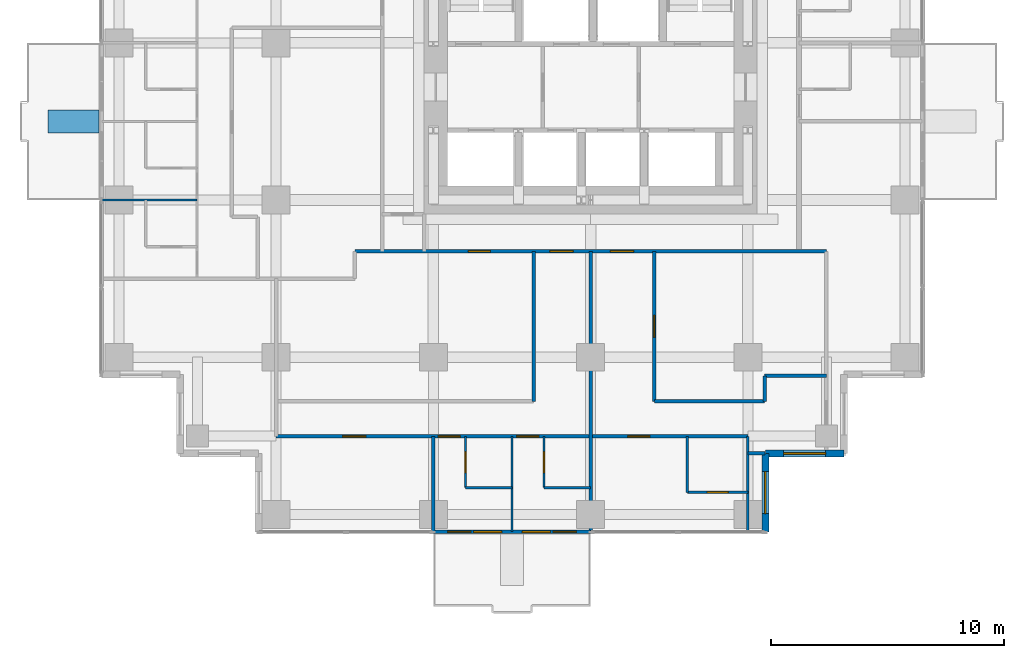
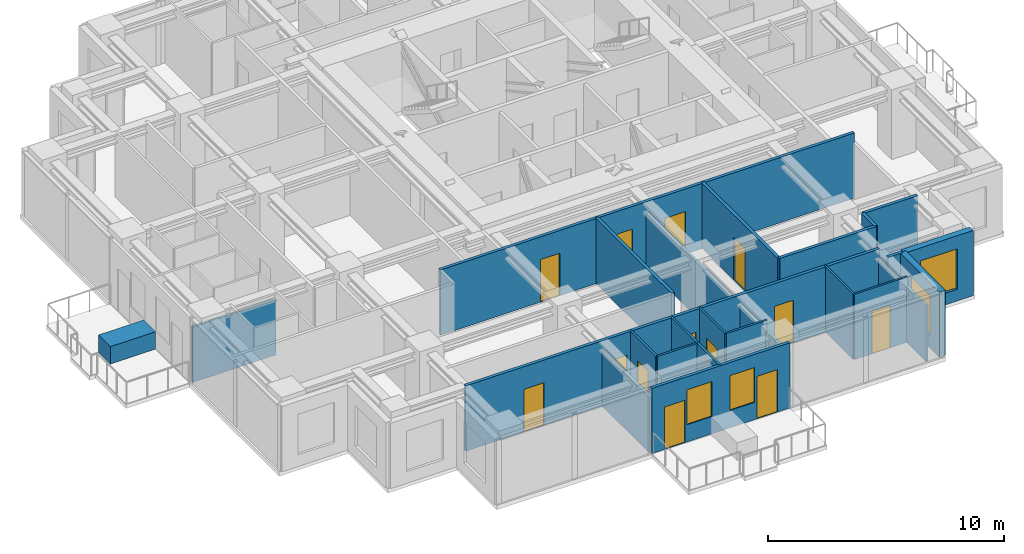
# One storey, part 5 of 10: 23 walls, 13 doors, 4 windows, 17 openings.
"""IFC4 building model written with IfcOpenShell, lengths in metres."""

from ifc_helpers import new_model, si_unit, direction, frame, frame_2d, origin, place, context, subcontext, project, spatial, rectangle, extrude, material, layer, layer_set, type_object, element, fill, save


model = new_model("IFC4")

# Units and contexts
model_context = context("Model", 3, precision=1e-05, world=origin(), true_north=direction((0.0, 1.0)))
body_context = subcontext(model_context, "Body", "Model", "MODEL_VIEW")
ifc_project = project(units=[si_unit("LENGTHUNIT", "METRE"), si_unit("AREAUNIT", "SQUARE_METRE"), si_unit("VOLUMEUNIT", "CUBIC_METRE"), si_unit("PLANEANGLEUNIT", "RADIAN"), si_unit("MASSUNIT", "GRAM", prefix="KILO")], contexts=[model_context])

# Site, building, storey
site_placement = place(None, origin())
site = spatial("IfcSite", under=ifc_project, at=site_placement, CompositionType="ELEMENT")
building_placement = place(site_placement, origin())
building = spatial("IfcBuilding", under=site, at=building_placement, Name="Nyansa Garden Tower", CompositionType="ELEMENT")
storey_placement = place(building_placement, frame((0.0, 0.0, 192.60009765625)))
storey = spatial("IfcBuildingStorey", under=building, at=storey_placement, Name="L52", CompositionType="ELEMENT", Elevation=192.60009765625)

# Wall, openings, doors, windows
ifc_material_1 = material(Name="Black aluminium framed glazed screen", Category="aluminium")
ifc_layer_1 = layer(ifc_material_1, 0.14990234375)
ifc_layer_set_1 = layer_set([ifc_layer_1], Name="Balcony screen wall BW150")
wall_type_1 = type_object("IfcWallType", Name="Balcony screen wall BW150", PredefinedType="SOLIDWALL", material=ifc_layer_set_1)
wall_1_placement = place(storey_placement, frame((20.25, -0.75, 0.0), z_axis=(0.0, 0.0, 1.0), x_axis=(-1.0, 0.0, 0.0)))
wall_1 = element("IfcWall", 1, at=wall_1_placement, inside=storey, type_object=wall_type_1, Name="Glazed screen wall L52 S", PredefinedType="SOLIDWALL", context=body_context, shape_type="SweptSolid", body=[
    extrude(rectangle(XDim=6.75, YDim=0.14990234375, at=frame_2d((3.375, 0.0))), origin(), (0.0, 0.0, 1.0), 3.375),
])
opening_1_placement = place(wall_1_placement, frame((0.612548828125, 0.0, 0.0)))
opening_1 = element("IfcOpeningElement", 2, at=opening_1_placement, cuts=wall_1, Name="Opening D20", PredefinedType="OPENING", context=body_context, shape_type="SweptSolid", body=[
    extrude(rectangle(XDim=1.0, YDim=2.199951171875, at=frame_2d((0.5, 1.10009765625))), frame((0.0, 0.0849609375, 0.0), z_axis=(0.0, -1.0, 0.0), x_axis=(1.0, 0.0, 0.0)), (0.0, 0.0, 1.0), 0.169921875),
])
opening_2_placement = place(wall_1_placement, frame((1.72509765625, 0.0, 0.89990234375)))
opening_2 = element("IfcOpeningElement", 3, at=opening_2_placement, cuts=wall_1, Name="Opening W6", PredefinedType="OPENING", context=body_context, shape_type="SweptSolid", body=[
    extrude(rectangle(XDim=1.199951171875, YDim=1.800048828125, at=frame_2d((0.60009765625, 0.89990234375))), frame((0.0, 0.0849609375, 0.0), z_axis=(0.0, -1.0, 0.0), x_axis=(1.0, 0.0, 0.0)), (0.0, 0.0, 1.0), 0.169921875),
])
opening_3_placement = place(wall_1_placement, frame((5.137451171875, 0.0, 0.0)))
opening_3 = element("IfcOpeningElement", 4, at=opening_3_placement, cuts=wall_1, Name="Opening D20", PredefinedType="OPENING", context=body_context, shape_type="SweptSolid", body=[
    extrude(rectangle(XDim=1.0, YDim=2.199951171875, at=frame_2d((0.5, 1.10009765625))), frame((0.0, 0.0849609375, 0.0), z_axis=(0.0, -1.0, 0.0), x_axis=(1.0, 0.0, 0.0)), (0.0, 0.0, 1.0), 0.169921875),
])
opening_4_placement = place(wall_1_placement, frame((3.824951171875, 0.0, 0.89990234375)))
opening_4 = element("IfcOpeningElement", 5, at=opening_4_placement, cuts=wall_1, Name="Opening W6", PredefinedType="OPENING", context=body_context, shape_type="SweptSolid", body=[
    extrude(rectangle(XDim=1.199951171875, YDim=1.800048828125, at=frame_2d((0.60009765625, 0.89990234375))), frame((0.0, 0.0849609375, 0.0), z_axis=(0.0, -1.0, 0.0), x_axis=(1.0, 0.0, 0.0)), (0.0, 0.0, 1.0), 0.169921875),
])
ifc_material_2 = material(Name="Black aluminium framed glazed door", Category="aluminium")
door_type_1 = type_object("IfcDoorType", Name="Balcony door D20 1000x2200", OperationType="NOTDEFINED", PredefinedType="DOOR", material=ifc_material_2)
door_1_placement = place(opening_1_placement, origin())
door_1 = element("IfcDoor", 6, at=door_1_placement, inside=storey, type_object=door_type_1, Name="Balcony door L52", OperationType="SINGLE_SWING_LEFT", OverallHeight=2.199951171875, OverallWidth=1.0, PredefinedType="DOOR", context=body_context, shape_type="SweptSolid", body=[
    extrude(rectangle(XDim=1.0, YDim=2.199951171875, at=frame_2d((0.5, 1.10009765625))), frame((0.0, 0.02490234375, 0.0), z_axis=(0.0, -1.0, 0.0), x_axis=(1.0, 0.0, 0.0)), (0.0, 0.0, 1.0), 0.050048828125),
])
fill(opening_1, door_1)
door_2_placement = place(opening_3_placement, origin())
door_2 = element("IfcDoor", 7, at=door_2_placement, inside=storey, type_object=door_type_1, Name="Balcony door L52", OperationType="SINGLE_SWING_RIGHT", OverallHeight=2.199951171875, OverallWidth=1.0, PredefinedType="DOOR", context=body_context, shape_type="SweptSolid", body=[
    extrude(rectangle(XDim=1.0, YDim=2.199951171875, at=frame_2d((0.5, 1.10009765625))), frame((0.0, 0.02490234375, 0.0), z_axis=(0.0, -1.0, 0.0), x_axis=(1.0, 0.0, 0.0)), (0.0, 0.0, 1.0), 0.050048828125),
])
fill(opening_3, door_2)
ifc_material_3 = material(Name="Black aluminium frame, dark tinted double glazing", Category="aluminium")
window_type_1 = type_object("IfcWindowType", Name="Balcony window W6 1200x1800", PartitioningType="SINGLE_PANEL", PredefinedType="WINDOW", material=ifc_material_3)
window_1_placement = place(opening_2_placement, origin())
window_1 = element("IfcWindow", 8, at=window_1_placement, inside=storey, type_object=window_type_1, Name="Window L52", OverallHeight=1.800048828125, OverallWidth=1.199951171875, PartitioningType="SINGLE_PANEL", PredefinedType="WINDOW", context=body_context, shape_type="SweptSolid", body=[
    extrude(rectangle(XDim=1.199951171875, YDim=1.800048828125, at=frame_2d((0.60009765625, 0.89990234375))), frame((0.0, 0.030029296875, 0.0), z_axis=(0.0, -1.0, 0.0), x_axis=(1.0, 0.0, 0.0)), (0.0, 0.0, 1.0), 0.06005859375),
])
fill(opening_2, window_1)
window_2_placement = place(opening_4_placement, origin())
window_2 = element("IfcWindow", 9, at=window_2_placement, inside=storey, type_object=window_type_1, Name="Window L52", OverallHeight=1.800048828125, OverallWidth=1.199951171875, PartitioningType="SINGLE_PANEL", PredefinedType="WINDOW", context=body_context, shape_type="SweptSolid", body=[
    extrude(rectangle(XDim=1.199951171875, YDim=1.800048828125, at=frame_2d((0.60009765625, 0.89990234375))), frame((0.0, 0.030029296875, 0.0), z_axis=(0.0, -1.0, 0.0), x_axis=(1.0, 0.0, 0.0)), (0.0, 0.0, 1.0), 0.06005859375),
])
fill(opening_4, window_2)

# Wall, openings, doors
ifc_material_4 = material(Name="Blockwork, plastered both sides", Category="masonry")
ifc_layer_2 = layer(ifc_material_4, 0.14990234375)
ifc_layer_set_2 = layer_set([ifc_layer_2], Name="Partition PW150")
wall_type_2 = type_object("IfcWallType", Name="Partition PW150", PredefinedType="PARTITIONING", material=ifc_layer_set_2)
wall_2_placement = place(storey_placement, frame((6.75, 3.35009765625, 0.0), z_axis=(0.0, 0.0, 1.0), x_axis=(1.0, 0.0, 0.0)))
wall_2 = element("IfcWall", 10, at=wall_2_placement, inside=storey, type_object=wall_type_2, Name="Partition", PredefinedType="PARTITIONING", context=body_context, shape_type="SweptSolid", body=[
    extrude(rectangle(XDim=20.25, YDim=0.14990234375, at=frame_2d((10.125, 0.0))), origin(), (0.0, 0.0, 1.0), 3.375),
])
opening_5_placement = place(wall_2_placement, frame((2.85009765625, 0.0, 0.0)))
opening_5 = element("IfcOpeningElement", 11, at=opening_5_placement, cuts=wall_2, Name="Opening D03", PredefinedType="OPENING", context=body_context, shape_type="SweptSolid", body=[
    extrude(rectangle(XDim=1.0, YDim=2.199951171875, at=frame_2d((0.5, 1.10009765625))), frame((0.0, 0.0849609375, 0.0), z_axis=(0.0, -1.0, 0.0), x_axis=(1.0, 0.0, 0.0)), (0.0, 0.0, 1.0), 0.169921875),
])
opening_6_placement = place(wall_2_placement, frame((6.949951171875, 0.0, 0.0)))
opening_6 = element("IfcOpeningElement", 12, at=opening_6_placement, cuts=wall_2, Name="Opening D01", PredefinedType="OPENING", context=body_context, shape_type="SweptSolid", body=[
    extrude(rectangle(XDim=0.949951171875, YDim=2.199951171875, at=frame_2d((0.47509765625, 1.10009765625))), frame((0.0, 0.0849609375, 0.0), z_axis=(0.0, -1.0, 0.0), x_axis=(1.0, 0.0, 0.0)), (0.0, 0.0, 1.0), 0.169921875),
])
opening_7_placement = place(wall_2_placement, frame((10.324951171875, 0.0, 0.0)))
opening_7 = element("IfcOpeningElement", 13, at=opening_7_placement, cuts=wall_2, Name="Opening D01", PredefinedType="OPENING", context=body_context, shape_type="SweptSolid", body=[
    extrude(rectangle(XDim=0.949951171875, YDim=2.199951171875, at=frame_2d((0.47509765625, 1.10009765625))), frame((0.0, 0.0849609375, 0.0), z_axis=(0.0, -1.0, 0.0), x_axis=(1.0, 0.0, 0.0)), (0.0, 0.0, 1.0), 0.169921875),
])
opening_8_placement = place(wall_2_placement, frame((15.10009765625, 0.0, 0.0)))
opening_8 = element("IfcOpeningElement", 14, at=opening_8_placement, cuts=wall_2, Name="Opening D14", PredefinedType="OPENING", context=body_context, shape_type="SweptSolid", body=[
    extrude(rectangle(XDim=0.949951171875, YDim=2.199951171875, at=frame_2d((0.47509765625, 1.10009765625))), frame((0.0, 0.0849609375, 0.0), z_axis=(0.0, -1.0, 0.0), x_axis=(1.0, 0.0, 0.0)), (0.0, 0.0, 1.0), 0.169921875),
])
ifc_material_5 = material(Name="Timber flush door, 30 minute fire resisting", Category="wood")
door_type_2 = type_object("IfcDoorType", Name="Bedroom door D01 950x2200", OperationType="SINGLE_SWING_LEFT", PredefinedType="DOOR", material=ifc_material_5)
door_3_placement = place(opening_6_placement, origin())
door_3 = element("IfcDoor", 15, at=door_3_placement, inside=storey, type_object=door_type_2, Name="Door L52-019", OperationType="SINGLE_SWING_LEFT", OverallHeight=2.199951171875, OverallWidth=0.949951171875, PredefinedType="DOOR", context=body_context, shape_type="SweptSolid", body=[
    extrude(rectangle(XDim=0.949951171875, YDim=2.199951171875, at=frame_2d((0.47509765625, 1.10009765625))), frame((0.0, 0.02490234375, 0.0), z_axis=(0.0, -1.0, 0.0), x_axis=(1.0, 0.0, 0.0)), (0.0, 0.0, 1.0), 0.050048828125),
])
fill(opening_6, door_3)
door_4_placement = place(opening_7_placement, origin())
door_4 = element("IfcDoor", 16, at=door_4_placement, inside=storey, type_object=door_type_2, Name="Door L52-021", OperationType="SINGLE_SWING_LEFT", OverallHeight=2.199951171875, OverallWidth=0.949951171875, PredefinedType="DOOR", context=body_context, shape_type="SweptSolid", body=[
    extrude(rectangle(XDim=0.949951171875, YDim=2.199951171875, at=frame_2d((0.47509765625, 1.10009765625))), frame((0.0, 0.02490234375, 0.0), z_axis=(0.0, -1.0, 0.0), x_axis=(1.0, 0.0, 0.0)), (0.0, 0.0, 1.0), 0.050048828125),
])
fill(opening_7, door_4)
ifc_material_6 = material(Name="Timber flush door, 60 minute fire resisting", Category="wood")
door_type_3 = type_object("IfcDoorType", Name="Cluster entrance door D03 1000x2200", OperationType="SINGLE_SWING_LEFT", PredefinedType="DOOR", material=ifc_material_6)
door_5_placement = place(opening_5_placement, origin())
door_5 = element("IfcDoor", 17, at=door_5_placement, inside=storey, type_object=door_type_3, Name="Door L52-018", OperationType="SINGLE_SWING_LEFT", OverallHeight=2.199951171875, OverallWidth=1.0, PredefinedType="DOOR", context=body_context, shape_type="SweptSolid", body=[
    extrude(rectangle(XDim=1.0, YDim=2.199951171875, at=frame_2d((0.5, 1.10009765625))), frame((0.0, 0.02490234375, 0.0), z_axis=(0.0, -1.0, 0.0), x_axis=(1.0, 0.0, 0.0)), (0.0, 0.0, 1.0), 0.050048828125),
])
fill(opening_5, door_5)
ifc_material_7 = material(Name="Timber flush door, 60 minute fire resisting, self-closing", Category="wood")
door_type_4 = type_object("IfcDoorType", Name="Studio entrance door D14 950x2200", OperationType="SINGLE_SWING_LEFT", PredefinedType="DOOR", material=ifc_material_7)
door_6_placement = place(opening_8_placement, origin())
door_6 = element("IfcDoor", 18, at=door_6_placement, inside=storey, type_object=door_type_4, Name="Door L52-024", OperationType="SINGLE_SWING_LEFT", OverallHeight=2.199951171875, OverallWidth=0.949951171875, PredefinedType="DOOR", context=body_context, shape_type="SweptSolid", body=[
    extrude(rectangle(XDim=0.949951171875, YDim=2.199951171875, at=frame_2d((0.47509765625, 1.10009765625))), frame((0.0, 0.02490234375, 0.0), z_axis=(0.0, -1.0, 0.0), x_axis=(1.0, 0.0, 0.0)), (0.0, 0.0, 1.0), 0.050048828125),
])
fill(opening_8, door_6)

wall_3_placement = place(storey_placement, frame((10.125, 11.300048828125, 0.0), z_axis=(0.0, 0.0, 1.0), x_axis=(1.0, 0.0, 0.0)))
wall_3 = element("IfcWall", 19, at=wall_3_placement, inside=storey, type_object=wall_type_2, Name="Partition", PredefinedType="PARTITIONING", context=body_context, shape_type="SweptSolid", body=[
    extrude(rectangle(XDim=20.25, YDim=0.14990234375, at=frame_2d((10.125, 0.0))), origin(), (0.0, 0.0, 1.0), 3.375),
])
opening_9_placement = place(wall_3_placement, frame((8.375, 0.0, 0.0)))
opening_9 = element("IfcOpeningElement", 20, at=opening_9_placement, cuts=wall_3, Name="Opening D03", PredefinedType="OPENING", context=body_context, shape_type="SweptSolid", body=[
    extrude(rectangle(XDim=1.0, YDim=2.199951171875, at=frame_2d((0.5, 1.10009765625))), frame((0.0, 0.0849609375, 0.0), z_axis=(0.0, -1.0, 0.0), x_axis=(1.0, 0.0, 0.0)), (0.0, 0.0, 1.0), 0.169921875),
])
opening_10_placement = place(wall_3_placement, frame((10.97509765625, 0.0, 0.0)))
opening_10 = element("IfcOpeningElement", 21, at=opening_10_placement, cuts=wall_3, Name="Opening D03", PredefinedType="OPENING", context=body_context, shape_type="SweptSolid", body=[
    extrude(rectangle(XDim=1.0, YDim=2.199951171875, at=frame_2d((0.5, 1.10009765625))), frame((0.0, 0.0849609375, 0.0), z_axis=(0.0, -1.0, 0.0), x_axis=(1.0, 0.0, 0.0)), (0.0, 0.0, 1.0), 0.169921875),
])
opening_11_placement = place(wall_3_placement, frame((4.875, 0.0, 0.0)))
opening_11 = element("IfcOpeningElement", 22, at=opening_11_placement, cuts=wall_3, Name="Opening D01", PredefinedType="OPENING", context=body_context, shape_type="SweptSolid", body=[
    extrude(rectangle(XDim=0.949951171875, YDim=2.199951171875, at=frame_2d((0.47509765625, 1.10009765625))), frame((0.0, 0.0849609375, 0.0), z_axis=(0.0, -1.0, 0.0), x_axis=(1.0, 0.0, 0.0)), (0.0, 0.0, 1.0), 0.169921875),
])
door_7_placement = place(opening_11_placement, origin())
door_7 = element("IfcDoor", 23, at=door_7_placement, inside=storey, type_object=door_type_2, Name="Door L52-027", OperationType="SINGLE_SWING_LEFT", OverallHeight=2.199951171875, OverallWidth=0.949951171875, PredefinedType="DOOR", context=body_context, shape_type="SweptSolid", body=[
    extrude(rectangle(XDim=0.949951171875, YDim=2.199951171875, at=frame_2d((0.47509765625, 1.10009765625))), frame((0.0, 0.02490234375, 0.0), z_axis=(0.0, -1.0, 0.0), x_axis=(1.0, 0.0, 0.0)), (0.0, 0.0, 1.0), 0.050048828125),
])
fill(opening_11, door_7)
door_8_placement = place(opening_9_placement, origin())
door_8 = element("IfcDoor", 24, at=door_8_placement, inside=storey, type_object=door_type_3, Name="Door L52-023", OperationType="SINGLE_SWING_LEFT", OverallHeight=2.199951171875, OverallWidth=1.0, PredefinedType="DOOR", context=body_context, shape_type="SweptSolid", body=[
    extrude(rectangle(XDim=1.0, YDim=2.199951171875, at=frame_2d((0.5, 1.10009765625))), frame((0.0, 0.02490234375, 0.0), z_axis=(0.0, -1.0, 0.0), x_axis=(1.0, 0.0, 0.0)), (0.0, 0.0, 1.0), 0.050048828125),
])
fill(opening_9, door_8)
door_9_placement = place(opening_10_placement, origin())
door_9 = element("IfcDoor", 25, at=door_9_placement, inside=storey, type_object=door_type_3, Name="Door L52-026", OperationType="SINGLE_SWING_LEFT", OverallHeight=2.199951171875, OverallWidth=1.0, PredefinedType="DOOR", context=body_context, shape_type="SweptSolid", body=[
    extrude(rectangle(XDim=1.0, YDim=2.199951171875, at=frame_2d((0.5, 1.10009765625))), frame((0.0, 0.02490234375, 0.0), z_axis=(0.0, -1.0, 0.0), x_axis=(1.0, 0.0, 0.0)), (0.0, 0.0, 1.0), 0.050048828125),
])
fill(opening_10, door_9)

# Walls
wall_4_placement = place(storey_placement, frame((13.5, -0.73388671875, 0.0), z_axis=(0.0, 0.0, 1.0), x_axis=(0.0, 1.0, 0.0)))
element("IfcWall", 26, at=wall_4_placement, inside=storey, type_object=wall_type_2, Name="Partition", PredefinedType="PARTITIONING", context=body_context, shape_type="SweptSolid", body=[
    extrude(rectangle(XDim=4.083984375, YDim=0.14990234375, at=frame_2d((2.0419921875, 0.0))), origin(), (0.0, 0.0, 1.0), 2.876953125),
])
wall_5_placement = place(storey_placement, frame((17.800048828125, 4.85009765625, 0.0), z_axis=(0.0, 0.0, 1.0), x_axis=(0.0, 1.0, 0.0)))
element("IfcWall", 27, at=wall_5_placement, inside=storey, type_object=wall_type_2, Name="Partition", PredefinedType="PARTITIONING", context=body_context, shape_type="SweptSolid", body=[
    extrude(rectangle(XDim=6.449951171875, YDim=0.14990234375, at=frame_2d((3.22509765625, 0.0))), origin(), (0.0, 0.0, 1.0), 3.375),
])
wall_6_placement = place(storey_placement, frame((20.25, -0.73388671875, 0.0), z_axis=(0.0, 0.0, 1.0), x_axis=(0.0, 1.0, 0.0)))
element("IfcWall", 28, at=wall_6_placement, inside=storey, type_object=wall_type_2, Name="Partition", PredefinedType="PARTITIONING", context=body_context, shape_type="SweptSolid", body=[
    extrude(rectangle(XDim=12.033935546875, YDim=0.14990234375, at=frame_2d((6.01708984375, 0.0))), origin(), (0.0, 0.0, 1.0), 2.805908203125),
])
wall_7_placement = place(storey_placement, frame((22.987548828125, 4.85009765625, 0.0), z_axis=(0.0, 0.0, 1.0), x_axis=(1.0, 0.0, 0.0)))
element("IfcWall", 29, at=wall_7_placement, inside=storey, type_object=wall_type_2, Name="Partition", PredefinedType="PARTITIONING", context=body_context, shape_type="SweptSolid", body=[
    extrude(rectangle(XDim=4.737548828125, YDim=0.14990234375, at=frame_2d((2.36865234375, 0.0))), origin(), (0.0, 0.0, 1.0), 3.375),
])

# Wall, opening, door
wall_8_placement = place(storey_placement, frame((22.988037109375, 4.85009765625, 0.0), z_axis=(0.0, 0.0, 1.0), x_axis=(0.0, 1.0, 0.0)))
wall_8 = element("IfcWall", 30, at=wall_8_placement, inside=storey, type_object=wall_type_2, Name="Partition", PredefinedType="PARTITIONING", context=body_context, shape_type="SweptSolid", body=[
    extrude(rectangle(XDim=6.449951171875, YDim=0.14990234375, at=frame_2d((3.22509765625, 0.0))), origin(), (0.0, 0.0, 1.0), 3.375),
])
opening_12_placement = place(wall_8_placement, frame((2.75, 0.0, 0.0)))
opening_12 = element("IfcOpeningElement", 31, at=opening_12_placement, cuts=wall_8, Name="Opening D01", PredefinedType="OPENING", context=body_context, shape_type="SweptSolid", body=[
    extrude(rectangle(XDim=0.949951171875, YDim=2.199951171875, at=frame_2d((0.47509765625, 1.10009765625))), frame((0.0, 0.0849609375, 0.0), z_axis=(0.0, -1.0, 0.0), x_axis=(1.0, 0.0, 0.0)), (0.0, 0.0, 1.0), 0.169921875),
])
door_10_placement = place(opening_12_placement, origin())
door_10 = element("IfcDoor", 32, at=door_10_placement, inside=storey, type_object=door_type_2, Name="Door L52-028", OperationType="SINGLE_SWING_LEFT", OverallHeight=2.199951171875, OverallWidth=0.949951171875, PredefinedType="DOOR", context=body_context, shape_type="SweptSolid", body=[
    extrude(rectangle(XDim=0.949951171875, YDim=2.199951171875, at=frame_2d((0.47509765625, 1.10009765625))), frame((0.0, 0.02490234375, 0.0), z_axis=(0.0, -1.0, 0.0), x_axis=(1.0, 0.0, 0.0)), (0.0, 0.0, 1.0), 0.050048828125),
])
fill(opening_12, door_10)

# Walls
wall_9_placement = place(storey_placement, frame((27.0, 2.625, 0.0), z_axis=(0.0, 0.0, 1.0), x_axis=(1.0, 0.0, 0.0)))
element("IfcWall", 33, at=wall_9_placement, inside=storey, type_object=wall_type_2, Name="Partition", PredefinedType="PARTITIONING", context=body_context, shape_type="SweptSolid", body=[
    extrude(rectangle(XDim=0.73388671875, YDim=0.14990234375, at=frame_2d((0.366943359375, 0.0))), origin(), (0.0, 0.0, 1.0), 3.375),
])
wall_10_placement = place(storey_placement, frame((27.72509765625, 4.85009765625, 0.0), z_axis=(0.0, 0.0, 1.0), x_axis=(0.0, 1.0, 0.0)))
element("IfcWall", 34, at=wall_10_placement, inside=storey, type_object=wall_type_2, Name="Partition", PredefinedType="PARTITIONING", context=body_context, shape_type="SweptSolid", body=[
    extrude(rectangle(XDim=1.099853515625, YDim=0.14990234375, at=frame_2d((0.5498046875, 0.0))), origin(), (0.0, 0.0, 1.0), 3.375),
])
wall_11_placement = place(storey_placement, frame((27.72509765625, 5.949951171875, 0.0), z_axis=(0.0, 0.0, 1.0), x_axis=(1.0, 0.0, 0.0)))
element("IfcWall", 35, at=wall_11_placement, inside=storey, type_object=wall_type_2, Name="Partition", PredefinedType="PARTITIONING", context=body_context, shape_type="SweptSolid", body=[
    extrude(rectangle(XDim=2.64990234375, YDim=0.14990234375, at=frame_2d((1.324951171875, 0.0))), origin(), (0.0, 0.0, 1.0), 3.375),
])

# Wall, opening, window
ifc_material_8 = material(Name="Turquoise glazed tile on concrete blockwork", Category="masonry")
ifc_layer_3 = layer(ifc_material_8, 0.300048828125)
ifc_layer_set_3 = layer_set([ifc_layer_3], Name="Tiled corner wall TW300")
wall_type_3 = type_object("IfcWallType", Name="Tiled corner wall TW300", PredefinedType="SOLIDWALL", material=ifc_layer_set_3)
wall_12_placement = place(storey_placement, frame((27.75, -0.75, 0.0), z_axis=(0.0, 0.0, 1.0), x_axis=(0.0, 1.0, 0.0)))
wall_12 = element("IfcWall", 36, at=wall_12_placement, inside=storey, type_object=wall_type_3, Name="Tiled corner wall L52", PredefinedType="SOLIDWALL", context=body_context, shape_type="SweptSolid", body=[
    extrude(rectangle(XDim=3.375, YDim=0.300048828125, at=frame_2d((1.6875, 0.0))), origin(), (0.0, 0.0, 1.0), 3.375),
])
opening_13_placement = place(wall_12_placement, frame((0.78759765625, 0.0, 0.60009765625)))
opening_13 = element("IfcOpeningElement", 37, at=opening_13_placement, cuts=wall_12, Name="Opening W2", PredefinedType="OPENING", context=body_context, shape_type="SweptSolid", body=[
    extrude(rectangle(XDim=1.800048828125, YDim=2.10009765625, at=frame_2d((0.89990234375, 1.050048828125))), frame((0.0, 0.159912109375, 0.0), z_axis=(0.0, -1.0, 0.0), x_axis=(1.0, 0.0, 0.0)), (0.0, 0.0, 1.0), 0.320068359375),
])
ifc_material_9 = material(Name="Black aluminium frame, dark tinted double glazing", Category="aluminium")
window_type_2 = type_object("IfcWindowType", Name="Window W2 1800x2100", PartitioningType="SINGLE_PANEL", PredefinedType="WINDOW", material=ifc_material_9)
window_3_placement = place(opening_13_placement, origin())
window_3 = element("IfcWindow", 38, at=window_3_placement, inside=storey, type_object=window_type_2, Name="Corner window L52", OverallHeight=2.10009765625, OverallWidth=1.800048828125, PartitioningType="SINGLE_PANEL", PredefinedType="WINDOW", context=body_context, shape_type="SweptSolid", body=[
    extrude(rectangle(XDim=1.800048828125, YDim=2.10009765625, at=frame_2d((0.89990234375, 1.050048828125))), frame((0.0, 0.030029296875, 0.0), z_axis=(0.0, -1.0, 0.0), x_axis=(1.0, 0.0, 0.0)), (0.0, 0.0, 1.0), 0.06005859375),
])
fill(opening_13, window_3)

wall_13_placement = place(storey_placement, frame((27.75, 2.625, 0.0), z_axis=(0.0, 0.0, 1.0), x_axis=(1.0, 0.0, 0.0)))
wall_13 = element("IfcWall", 39, at=wall_13_placement, inside=storey, type_object=wall_type_3, Name="Tiled corner wall L52", PredefinedType="SOLIDWALL", context=body_context, shape_type="SweptSolid", body=[
    extrude(rectangle(XDim=3.375, YDim=0.300048828125, at=frame_2d((1.6875, 0.0))), origin(), (0.0, 0.0, 1.0), 3.375),
])
opening_14_placement = place(wall_13_placement, frame((0.78759765625, 0.0, 0.60009765625)))
opening_14 = element("IfcOpeningElement", 40, at=opening_14_placement, cuts=wall_13, Name="Opening W2", PredefinedType="OPENING", context=body_context, shape_type="SweptSolid", body=[
    extrude(rectangle(XDim=1.800048828125, YDim=2.10009765625, at=frame_2d((0.89990234375, 1.050048828125))), frame((0.0, 0.159912109375, 0.0), z_axis=(0.0, -1.0, 0.0), x_axis=(1.0, 0.0, 0.0)), (0.0, 0.0, 1.0), 0.320068359375),
])
window_4_placement = place(opening_14_placement, origin())
window_4 = element("IfcWindow", 41, at=window_4_placement, inside=storey, type_object=window_type_2, Name="Corner window L52", OverallHeight=2.10009765625, OverallWidth=1.800048828125, PartitioningType="SINGLE_PANEL", PredefinedType="WINDOW", context=body_context, shape_type="SweptSolid", body=[
    extrude(rectangle(XDim=1.800048828125, YDim=2.10009765625, at=frame_2d((0.89990234375, 1.050048828125))), frame((0.0, 0.030029296875, 0.0), z_axis=(0.0, -1.0, 0.0), x_axis=(1.0, 0.0, 0.0)), (0.0, 0.0, 1.0), 0.06005859375),
])
fill(opening_14, window_4)

# Walls
ifc_material_10 = material(Name="Concrete C40/50 planter, waterproofed", Category="concrete")
ifc_layer_4 = layer(ifc_material_10, 1.0)
ifc_layer_set_4 = layer_set([ifc_layer_4], Name="Tree planter TP1")
wall_type_4 = type_object("IfcWallType", Name="Tree planter TP1", PredefinedType="USERDEFINED", material=ifc_layer_set_4)
wall_14_placement = place(storey_placement, frame((-0.85009765625, 16.875, 0.0), z_axis=(0.0, 0.0, 1.0), x_axis=(-1.0, 0.0, 0.0)))
element("IfcWall", 42, at=wall_14_placement, inside=storey, type_object=wall_type_4, Name="Tree planter L52", ObjectType="TREE PLANTER", PredefinedType="USERDEFINED", context=body_context, shape_type="SweptSolid", body=[
    extrude(rectangle(XDim=2.199951171875, YDim=1.0, at=frame_2d((1.10009765625, 0.0))), origin(), (0.0, 0.0, 1.0), 0.89990234375),
])
ifc_material_11 = material(Name="Moisture resistant board on steel studs, tiled", Category="steel")
ifc_layer_5 = layer(ifc_material_11, 0.10009765625)
ifc_layer_set_5 = layer_set([ifc_layer_5], Name="Wet wall PW100")
wall_type_5 = type_object("IfcWallType", Name="Wet wall PW100", PredefinedType="PARTITIONING", material=ifc_layer_set_5)
wall_15_placement = place(storey_placement, frame((-0.73388671875, 13.5, 0.0), z_axis=(0.0, 0.0, 1.0), x_axis=(1.0, 0.0, 0.0)))
element("IfcWall", 43, at=wall_15_placement, inside=storey, type_object=wall_type_5, Name="Wet wall", PredefinedType="PARTITIONING", context=body_context, shape_type="SweptSolid", body=[
    extrude(rectangle(XDim=4.083984375, YDim=0.10009765625, at=frame_2d((2.0419921875, 0.0))), origin(), (0.0, 0.0, 1.0), 2.876953125),
])

# Wall, opening, door
wall_16_placement = place(storey_placement, frame((14.875, 1.14990234375, 0.0), z_axis=(0.0, 0.0, 1.0), x_axis=(0.0, 1.0, 0.0)))
wall_16 = element("IfcWall", 44, at=wall_16_placement, inside=storey, type_object=wall_type_5, Name="Wet wall", PredefinedType="PARTITIONING", context=body_context, shape_type="SweptSolid", body=[
    extrude(rectangle(XDim=2.2001953125, YDim=0.10009765625, at=frame_2d((1.10009765625, 0.0))), origin(), (0.0, 0.0, 1.0), 3.375),
])
opening_15_placement = place(wall_16_placement, frame((0.64990234375, 0.0, 0.0)))
opening_15 = element("IfcOpeningElement", 45, at=opening_15_placement, cuts=wall_16, Name="Opening D02", PredefinedType="OPENING", context=body_context, shape_type="SweptSolid", body=[
    extrude(rectangle(XDim=0.89990234375, YDim=2.199951171875, at=frame_2d((0.449951171875, 1.10009765625))), frame((0.0, 0.06005859375, 0.0), z_axis=(0.0, -1.0, 0.0), x_axis=(1.0, 0.0, 0.0)), (0.0, 0.0, 1.0), 0.1201171875),
])
ifc_material_12 = material(Name="Timber flush door", Category="wood")
door_type_5 = type_object("IfcDoorType", Name="En-suite door D02 900x2200", OperationType="SINGLE_SWING_RIGHT", PredefinedType="DOOR", material=ifc_material_12)
door_11_placement = place(opening_15_placement, origin())
door_11 = element("IfcDoor", 46, at=door_11_placement, inside=storey, type_object=door_type_5, Name="Door L52-020", OperationType="SINGLE_SWING_RIGHT", OverallHeight=2.199951171875, OverallWidth=0.89990234375, PredefinedType="DOOR", context=body_context, shape_type="SweptSolid", body=[
    extrude(rectangle(XDim=0.89990234375, YDim=2.199951171875, at=frame_2d((0.449951171875, 1.10009765625))), frame((0.0, 0.02490234375, 0.0), z_axis=(0.0, -1.0, 0.0), x_axis=(1.0, 0.0, 0.0)), (0.0, 0.0, 1.0), 0.050048828125),
])
fill(opening_15, door_11)

# Walls
wall_17_placement = place(storey_placement, frame((14.875, 1.14990234375, 0.0), z_axis=(0.0, 0.0, 1.0), x_axis=(1.0, 0.0, 0.0)))
element("IfcWall", 47, at=wall_17_placement, inside=storey, type_object=wall_type_5, Name="Wet wall", PredefinedType="PARTITIONING", context=body_context, shape_type="SweptSolid", body=[
    extrude(rectangle(XDim=2.0, YDim=0.10009765625, at=frame_2d((1.0, 0.0))), origin(), (0.0, 0.0, 1.0), 3.375),
])
wall_18_placement = place(storey_placement, frame((16.875, -0.73388671875, 0.0), z_axis=(0.0, 0.0, 1.0), x_axis=(0.0, 1.0, 0.0)))
element("IfcWall", 48, at=wall_18_placement, inside=storey, type_object=wall_type_5, Name="Wet wall", PredefinedType="PARTITIONING", context=body_context, shape_type="SweptSolid", body=[
    extrude(rectangle(XDim=4.083984375, YDim=0.10009765625, at=frame_2d((2.0419921875, 0.0))), origin(), (0.0, 0.0, 1.0), 3.375),
])

# Wall, opening, door
wall_19_placement = place(storey_placement, frame((18.25, 1.14990234375, 0.0), z_axis=(0.0, 0.0, 1.0), x_axis=(0.0, 1.0, 0.0)))
wall_19 = element("IfcWall", 49, at=wall_19_placement, inside=storey, type_object=wall_type_5, Name="Wet wall", PredefinedType="PARTITIONING", context=body_context, shape_type="SweptSolid", body=[
    extrude(rectangle(XDim=2.2001953125, YDim=0.10009765625, at=frame_2d((1.10009765625, 0.0))), origin(), (0.0, 0.0, 1.0), 3.375),
])
opening_16_placement = place(wall_19_placement, frame((0.64990234375, 0.0, 0.0)))
opening_16 = element("IfcOpeningElement", 50, at=opening_16_placement, cuts=wall_19, Name="Opening D02", PredefinedType="OPENING", context=body_context, shape_type="SweptSolid", body=[
    extrude(rectangle(XDim=0.89990234375, YDim=2.199951171875, at=frame_2d((0.449951171875, 1.10009765625))), frame((0.0, 0.06005859375, 0.0), z_axis=(0.0, -1.0, 0.0), x_axis=(1.0, 0.0, 0.0)), (0.0, 0.0, 1.0), 0.1201171875),
])
door_12_placement = place(opening_16_placement, origin())
door_12 = element("IfcDoor", 51, at=door_12_placement, inside=storey, type_object=door_type_5, Name="Door L52-022", OperationType="SINGLE_SWING_RIGHT", OverallHeight=2.199951171875, OverallWidth=0.89990234375, PredefinedType="DOOR", context=body_context, shape_type="SweptSolid", body=[
    extrude(rectangle(XDim=0.89990234375, YDim=2.199951171875, at=frame_2d((0.449951171875, 1.10009765625))), frame((0.0, 0.02490234375, 0.0), z_axis=(0.0, -1.0, 0.0), x_axis=(1.0, 0.0, 0.0)), (0.0, 0.0, 1.0), 0.050048828125),
])
fill(opening_16, door_12)

# Walls
wall_20_placement = place(storey_placement, frame((18.25, 1.14990234375, 0.0), z_axis=(0.0, 0.0, 1.0), x_axis=(1.0, 0.0, 0.0)))
element("IfcWall", 52, at=wall_20_placement, inside=storey, type_object=wall_type_5, Name="Wet wall", PredefinedType="PARTITIONING", context=body_context, shape_type="SweptSolid", body=[
    extrude(rectangle(XDim=2.0, YDim=0.10009765625, at=frame_2d((1.0, 0.0))), origin(), (0.0, 0.0, 1.0), 3.375),
])
wall_21_placement = place(storey_placement, frame((24.39990234375, 0.949951171875, 0.0), z_axis=(0.0, 0.0, 1.0), x_axis=(0.0, 1.0, 0.0)))
element("IfcWall", 53, at=wall_21_placement, inside=storey, type_object=wall_type_5, Name="Wet wall", PredefinedType="PARTITIONING", context=body_context, shape_type="SweptSolid", body=[
    extrude(rectangle(XDim=2.400146484375, YDim=0.10009765625, at=frame_2d((1.2001953125, 0.0))), origin(), (0.0, 0.0, 1.0), 3.375),
])

# Wall, opening, door
wall_22_placement = place(storey_placement, frame((24.39990234375, 0.949951171875, 0.0), z_axis=(0.0, 0.0, 1.0), x_axis=(1.0, 0.0, 0.0)))
wall_22 = element("IfcWall", 54, at=wall_22_placement, inside=storey, type_object=wall_type_5, Name="Wet wall", PredefinedType="PARTITIONING", context=body_context, shape_type="SweptSolid", body=[
    extrude(rectangle(XDim=2.60009765625, YDim=0.10009765625, at=frame_2d((1.300048828125, 0.0))), origin(), (0.0, 0.0, 1.0), 3.375),
])
opening_17_placement = place(wall_22_placement, frame((0.85009765625, 0.0, 0.0)))
opening_17 = element("IfcOpeningElement", 55, at=opening_17_placement, cuts=wall_22, Name="Opening D02", PredefinedType="OPENING", context=body_context, shape_type="SweptSolid", body=[
    extrude(rectangle(XDim=0.89990234375, YDim=2.199951171875, at=frame_2d((0.449951171875, 1.10009765625))), frame((0.0, 0.06005859375, 0.0), z_axis=(0.0, -1.0, 0.0), x_axis=(1.0, 0.0, 0.0)), (0.0, 0.0, 1.0), 0.1201171875),
])
door_13_placement = place(opening_17_placement, origin())
door_13 = element("IfcDoor", 56, at=door_13_placement, inside=storey, type_object=door_type_5, Name="Door L52-025", OperationType="SINGLE_SWING_RIGHT", OverallHeight=2.199951171875, OverallWidth=0.89990234375, PredefinedType="DOOR", context=body_context, shape_type="SweptSolid", body=[
    extrude(rectangle(XDim=0.89990234375, YDim=2.199951171875, at=frame_2d((0.449951171875, 1.10009765625))), frame((0.0, 0.02490234375, 0.0), z_axis=(0.0, -1.0, 0.0), x_axis=(1.0, 0.0, 0.0)), (0.0, 0.0, 1.0), 0.050048828125),
])
fill(opening_17, door_13)

# Wall
wall_23_placement = place(storey_placement, frame((27.0, -0.73388671875, 0.0), z_axis=(0.0, 0.0, 1.0), x_axis=(0.0, 1.0, 0.0)))
element("IfcWall", 57, at=wall_23_placement, inside=storey, type_object=wall_type_5, Name="Wet wall", PredefinedType="PARTITIONING", context=body_context, shape_type="SweptSolid", body=[
    extrude(rectangle(XDim=4.083984375, YDim=0.10009765625, at=frame_2d((2.0419921875, 0.0))), origin(), (0.0, 0.0, 1.0), 2.876953125),
])

save(model, "model.ifc")
